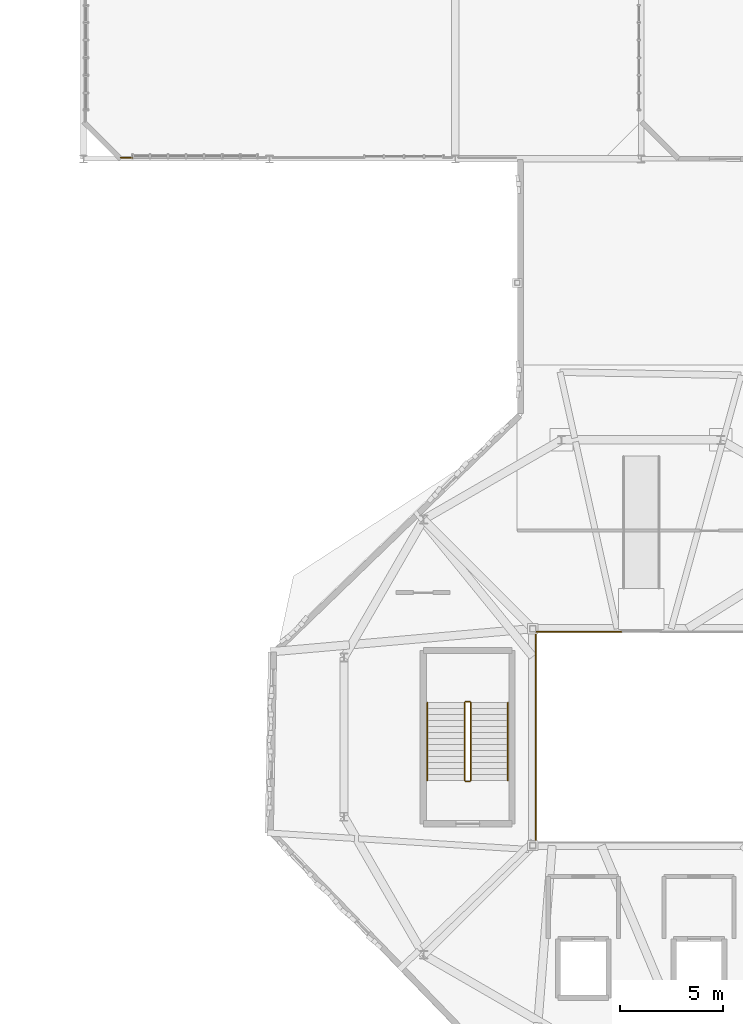
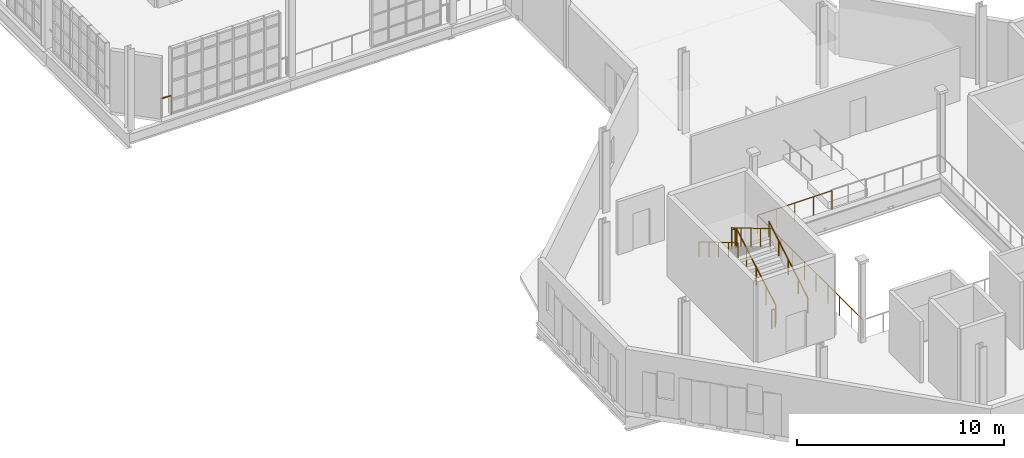
# One storey, part 80 of 85: 9 railings.
"""IFC4 building model written with IfcOpenShell, lengths in metres."""

from ifc_helpers import new_model, si_unit, direction, frame, origin, origin_2d, place, context, subcontext, project, spatial, circle, extrude, material, type_object, element, save


model = new_model("IFC4")

# Units and contexts
model_context = context("Model", 3, precision=1e-05, world=origin(), true_north=direction((0.0, 1.0)))
body_context = subcontext(model_context, "Body", "Model", "MODEL_VIEW")
ifc_project = project(units=[si_unit("LENGTHUNIT", "METRE"), si_unit("AREAUNIT", "SQUARE_METRE"), si_unit("VOLUMEUNIT", "CUBIC_METRE"), si_unit("PLANEANGLEUNIT", "RADIAN"), si_unit("MASSUNIT", "GRAM", prefix="KILO"), si_unit("THERMODYNAMICTEMPERATUREUNIT", "KELVIN"), si_unit("POWERUNIT", "WATT")], contexts=[model_context])

# Site, building, storey
site_placement = place(None, origin())
site = spatial("IfcSite", under=ifc_project, at=site_placement, CompositionType="ELEMENT")
building_placement = place(site_placement, origin())
building = spatial("IfcBuilding", under=site, at=building_placement, Name="Zelmaris Science Centre", CompositionType="ELEMENT")
storey_placement = place(building_placement, frame((0.0, 0.0, 20.39990234375)))
storey = spatial("IfcBuildingStorey", under=building, at=storey_placement, Name="L04", CompositionType="ELEMENT", Elevation=20.39990234375)

# Railings
ifc_material = material(Name="Architectural bronze alloy C28000")
railing_type_1 = type_object("IfcRailingType", Name="Balustrade GD-01 H1120", PredefinedType="BALUSTRADE", material=ifc_material)
railing_1_placement = place(storey_placement, frame((80.050048828125, 41.10009765625, 0.0)))
element("IfcRailing", 1, at=railing_1_placement, inside=storey, type_object=railing_type_1, Name="L04 Atrium void balustrade 44", PredefinedType="BALUSTRADE", context=body_context, shape_type="SweptSolid", body=[
    extrude(circle(Radius=0.02392578125, at=origin_2d()), frame((0.0, 0.0, 1.09619140625), z_axis=(-1.0, 0.0, 0.0), x_axis=(0.0, -1.0, 0.0)), (0.0, 0.0, 1.0), 4.150146484375),
    extrude(circle(Radius=0.02099609375, at=origin_2d()), origin(), (0.0, 0.0, 1.0), 1.072021484375),
    extrude(circle(Radius=0.02099609375, at=origin_2d()), frame((-1.03759765625, 0.0, 0.0)), (0.0, 0.0, 1.0), 1.072021484375),
    extrude(circle(Radius=0.02099609375, at=origin_2d()), frame((-2.0751953125, 0.0, 0.0)), (0.0, 0.0, 1.0), 1.072021484375),
    extrude(circle(Radius=0.02099609375, at=origin_2d()), frame((-3.112548828125, 0.0, 0.0)), (0.0, 0.0, 1.0), 1.072021484375),
    extrude(circle(Radius=0.02099609375, at=origin_2d()), frame((-4.150146484375, 0.0, 0.0)), (0.0, 0.0, 1.0), 1.072021484375),
])
railing_2_placement = place(storey_placement, frame((75.89990234375, 41.10009765625, 0.0)))
element("IfcRailing", 2, at=railing_2_placement, inside=storey, type_object=railing_type_1, Name="L04 Atrium void balustrade 45", PredefinedType="BALUSTRADE", context=body_context, shape_type="SweptSolid", body=[
    extrude(circle(Radius=0.02392578125, at=origin_2d()), frame((0.0, 0.0, 1.09619140625), z_axis=(0.0, -1.0, 0.0), x_axis=(1.0, 0.0, 0.0)), (0.0, 0.0, 1.0), 10.2001953125),
    extrude(circle(Radius=0.02099609375, at=origin_2d()), origin(), (0.0, 0.0, 1.0), 1.072021484375),
    extrude(circle(Radius=0.02099609375, at=origin_2d()), frame((0.0, -1.13330078125, 0.0)), (0.0, 0.0, 1.0), 1.072021484375),
    extrude(circle(Radius=0.02099609375, at=origin_2d()), frame((0.0, -2.2666015625, 0.0)), (0.0, 0.0, 1.0), 1.072021484375),
    extrude(circle(Radius=0.02099609375, at=origin_2d()), frame((0.0, -3.400146484375, 0.0)), (0.0, 0.0, 1.0), 1.072021484375),
    extrude(circle(Radius=0.02099609375, at=origin_2d()), frame((0.0, -4.533447265625, 0.0)), (0.0, 0.0, 1.0), 1.072021484375),
    extrude(circle(Radius=0.02099609375, at=origin_2d()), frame((0.0, -5.666748046875, 0.0)), (0.0, 0.0, 1.0), 1.072021484375),
    extrude(circle(Radius=0.02099609375, at=origin_2d()), frame((0.0, -6.800048828125, 0.0)), (0.0, 0.0, 1.0), 1.072021484375),
    extrude(circle(Radius=0.02099609375, at=origin_2d()), frame((0.0, -7.93359375, 0.0)), (0.0, 0.0, 1.0), 1.072021484375),
    extrude(circle(Radius=0.02099609375, at=origin_2d()), frame((0.0, -9.06689453125, 0.0)), (0.0, 0.0, 1.0), 1.072021484375),
    extrude(circle(Radius=0.02099609375, at=origin_2d()), frame((0.0, -10.2001953125, 0.0)), (0.0, 0.0, 1.0), 1.072021484375),
])
railing_3_placement = place(storey_placement, frame((56.3701171875, 64.06005859375, 0.0)))
element("IfcRailing", 3, at=railing_3_placement, inside=storey, type_object=railing_type_1, Name="L04 Perimeter safety balustrade 264", PredefinedType="BALUSTRADE", context=body_context, shape_type="SweptSolid", body=[
    extrude(circle(Radius=0.02392578125, at=origin_2d()), frame((0.0, 0.0, 1.09619140625), z_axis=(-1.0, 0.0, 0.0), x_axis=(0.0, -1.0, 0.0)), (0.0, 0.0, 1.0), 0.570068359375),
    extrude(circle(Radius=0.02099609375, at=origin_2d()), origin(), (0.0, 0.0, 1.0), 1.072021484375),
    extrude(circle(Radius=0.02099609375, at=origin_2d()), frame((-0.570068359375, 0.0, 0.0)), (0.0, 0.0, 1.0), 1.072021484375),
])
railing_4_placement = place(storey_placement, frame((72.75, 33.89990234375, 0.171630859375)))
element("IfcRailing", 4, at=railing_4_placement, inside=storey, type_object=railing_type_1, Name="L04 ST-1 stair guard 1", PredefinedType="BALUSTRADE", context=body_context, shape_type="SweptSolid", body=[
    extrude(circle(Radius=0.02392578125, at=origin_2d()), frame((0.0, 0.0, 1.076171875), z_axis=(0.0, 0.860848830602, 0.508860777473), x_axis=(-1.0, 0.0, 0.0)), (0.0, 0.0, 1.0), 4.37939453125),
    extrude(circle(Radius=0.02099609375, at=origin_2d()), origin(), (0.0, 0.0, 1.0), 1.052001953125),
    extrude(circle(Radius=0.02099609375, at=origin_2d()), frame((0.0, 0.9423828125, 0.55712890625)), (0.0, 0.0, 1.0), 1.052001953125),
    extrude(circle(Radius=0.02099609375, at=origin_2d()), frame((0.0, 1.885009765625, 1.1142578125)), (0.0, 0.0, 1.0), 1.052001953125),
    extrude(circle(Radius=0.02099609375, at=origin_2d()), frame((0.0, 2.82763671875, 1.67138671875)), (0.0, 0.0, 1.0), 1.052001953125),
    extrude(circle(Radius=0.02099609375, at=origin_2d()), frame((0.0, 3.77001953125, 2.228515625)), (0.0, 0.0, 1.0), 1.052001953125),
])
railing_5_placement = place(storey_placement, frame((72.699951171875, 37.719970703125, 2.400146484375)))
element("IfcRailing", 5, at=railing_5_placement, inside=storey, type_object=railing_type_1, Name="L04 ST-1 stair guard 2", PredefinedType="BALUSTRADE", context=body_context, shape_type="SweptSolid", body=[
    extrude(circle(Radius=0.02392578125, at=origin_2d()), frame((0.0, 0.0, 1.076171875), z_axis=(-1.0, 0.0, 0.0), x_axis=(0.0, -1.0, 0.0)), (0.0, 0.0, 1.0), 0.199951171875),
    extrude(circle(Radius=0.02099609375, at=origin_2d()), origin(), (0.0, 0.0, 1.0), 1.052001953125),
    extrude(circle(Radius=0.02099609375, at=origin_2d()), frame((-0.199951171875, 0.0, 0.0)), (0.0, 0.0, 1.0), 1.052001953125),
])
railing_6_placement = place(storey_placement, frame((72.449951171875, 37.669921875, 2.571533203125)))
element("IfcRailing", 6, at=railing_6_placement, inside=storey, type_object=railing_type_1, Name="L04 ST-1 stair guard 3", PredefinedType="BALUSTRADE", context=body_context, shape_type="SweptSolid", body=[
    extrude(circle(Radius=0.02392578125, at=origin_2d()), frame((0.0, 0.0, 1.076171875), z_axis=(0.0, -0.860848830602, 0.508860777473), x_axis=(1.0, 0.0, 0.0)), (0.0, 0.0, 1.0), 4.37939453125),
    extrude(circle(Radius=0.02099609375, at=origin_2d()), origin(), (0.0, 0.0, 1.0), 1.052001953125),
    extrude(circle(Radius=0.02099609375, at=origin_2d()), frame((0.0, -0.9423828125, 0.55712890625)), (0.0, 0.0, 1.0), 1.052001953125),
    extrude(circle(Radius=0.02099609375, at=origin_2d()), frame((0.0, -1.885009765625, 1.1142578125)), (0.0, 0.0, 1.0), 1.052001953125),
    extrude(circle(Radius=0.02099609375, at=origin_2d()), frame((0.0, -2.82763671875, 1.67138671875)), (0.0, 0.0, 1.0), 1.052001953125),
    extrude(circle(Radius=0.02099609375, at=origin_2d()), frame((0.0, -3.77001953125, 2.228515625)), (0.0, 0.0, 1.0), 1.052001953125),
])
railing_7_placement = place(storey_placement, frame((72.699951171875, 33.85009765625, 0.0)))
element("IfcRailing", 7, at=railing_7_placement, inside=storey, type_object=railing_type_1, Name="L04 ST-1 stair guard 4", PredefinedType="BALUSTRADE", context=body_context, shape_type="SweptSolid", body=[
    extrude(circle(Radius=0.02392578125, at=origin_2d()), frame((0.0, 0.0, 1.076171875), z_axis=(-1.0, 0.0, 0.0), x_axis=(0.0, -1.0, 0.0)), (0.0, 0.0, 1.0), 0.199951171875),
    extrude(circle(Radius=0.02099609375, at=origin_2d()), origin(), (0.0, 0.0, 1.0), 1.052001953125),
    extrude(circle(Radius=0.02099609375, at=origin_2d()), frame((-0.199951171875, 0.0, 0.0)), (0.0, 0.0, 1.0), 1.052001953125),
])
railing_type_2 = type_object("IfcRailingType", Name="Handrail HR-01 H900", PredefinedType="HANDRAIL", material=ifc_material)
railing_8_placement = place(storey_placement, frame((74.550048828125, 33.89990234375, 0.171630859375)))
element("IfcRailing", 8, at=railing_8_placement, inside=storey, type_object=railing_type_2, Name="L04 ST-1 stair handrail 1", PredefinedType="HANDRAIL", context=body_context, shape_type="SweptSolid", body=[
    extrude(circle(Radius=0.02392578125, at=origin_2d()), frame((0.0, 0.0, 0.8759765625), z_axis=(0.0, 0.860848830602, 0.508860777473), x_axis=(-1.0, 0.0, 0.0)), (0.0, 0.0, 1.0), 4.37939453125),
    extrude(circle(Radius=0.02099609375, at=origin_2d()), origin(), (0.0, 0.0, 1.0), 0.851806640625),
    extrude(circle(Radius=0.02099609375, at=origin_2d()), frame((0.0, 0.9423828125, 0.55712890625)), (0.0, 0.0, 1.0), 0.851806640625),
    extrude(circle(Radius=0.02099609375, at=origin_2d()), frame((0.0, 1.885009765625, 1.1142578125)), (0.0, 0.0, 1.0), 0.851806640625),
    extrude(circle(Radius=0.02099609375, at=origin_2d()), frame((0.0, 2.82763671875, 1.67138671875)), (0.0, 0.0, 1.0), 0.851806640625),
    extrude(circle(Radius=0.02099609375, at=origin_2d()), frame((0.0, 3.77001953125, 2.228515625)), (0.0, 0.0, 1.0), 0.851806640625),
])
railing_9_placement = place(storey_placement, frame((70.64990234375, 37.669921875, 2.571533203125)))
element("IfcRailing", 9, at=railing_9_placement, inside=storey, type_object=railing_type_2, Name="L04 ST-1 stair handrail 2", PredefinedType="HANDRAIL", context=body_context, shape_type="SweptSolid", body=[
    extrude(circle(Radius=0.02392578125, at=origin_2d()), frame((0.0, 0.0, 0.8759765625), z_axis=(0.0, -0.860848830602, 0.508860777473), x_axis=(1.0, 0.0, 0.0)), (0.0, 0.0, 1.0), 4.37939453125),
    extrude(circle(Radius=0.02099609375, at=origin_2d()), origin(), (0.0, 0.0, 1.0), 0.851806640625),
    extrude(circle(Radius=0.02099609375, at=origin_2d()), frame((0.0, -0.9423828125, 0.55712890625)), (0.0, 0.0, 1.0), 0.851806640625),
    extrude(circle(Radius=0.02099609375, at=origin_2d()), frame((0.0, -1.885009765625, 1.1142578125)), (0.0, 0.0, 1.0), 0.851806640625),
    extrude(circle(Radius=0.02099609375, at=origin_2d()), frame((0.0, -2.82763671875, 1.67138671875)), (0.0, 0.0, 1.0), 0.851806640625),
    extrude(circle(Radius=0.02099609375, at=origin_2d()), frame((0.0, -3.77001953125, 2.228515625)), (0.0, 0.0, 1.0), 0.851806640625),
])

save(model, "model.ifc")
